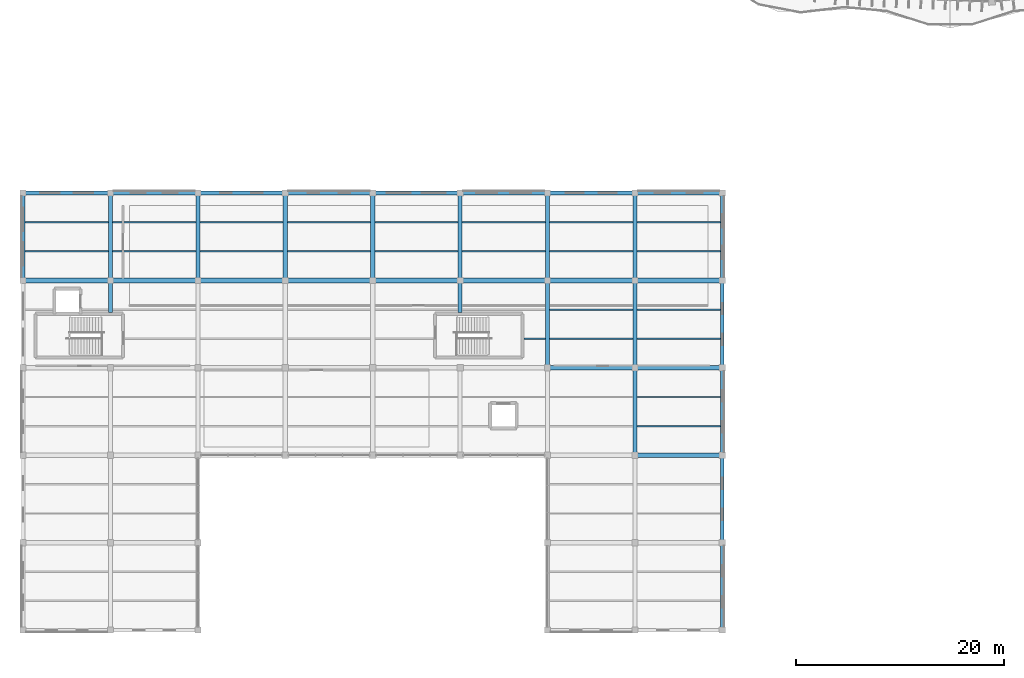
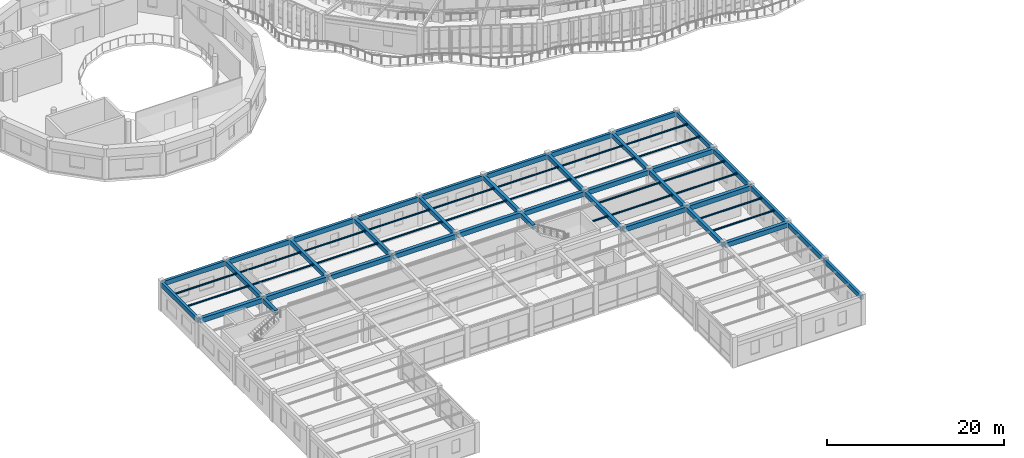
# One storey, part 21 of 114: 60 beams.
"""IFC4 building model written with IfcOpenShell, lengths in metres."""

from ifc_helpers import new_model, si_unit, direction, frame, origin, origin_2d, place, context, subcontext, project, spatial, rectangle, i_section, extrude, material, material_profile, profile_set, type_object, element, save


model = new_model("IFC4")

# Units and contexts
model_context = context("Model", 3, precision=1e-05, world=origin(), true_north=direction((0.0, 1.0)))
body_context = subcontext(model_context, "Body", "Model", "MODEL_VIEW")
ifc_project = project(units=[si_unit("LENGTHUNIT", "METRE"), si_unit("AREAUNIT", "SQUARE_METRE"), si_unit("VOLUMEUNIT", "CUBIC_METRE"), si_unit("PLANEANGLEUNIT", "RADIAN"), si_unit("MASSUNIT", "GRAM", prefix="KILO"), si_unit("THERMODYNAMICTEMPERATUREUNIT", "KELVIN"), si_unit("POWERUNIT", "WATT")], contexts=[model_context])

# Site, building, storey
site_placement = place(None, origin())
site = spatial("IfcSite", under=ifc_project, at=site_placement, CompositionType="ELEMENT")
building_placement = place(site_placement, origin())
building = spatial("IfcBuilding", under=site, at=building_placement, Name="Darbajah Civic Hall", CompositionType="ELEMENT")
storey_placement = place(building_placement, frame((0.0, 0.0, 13.800048828125)))
storey = spatial("IfcBuildingStorey", under=building, at=storey_placement, Name="L03", CompositionType="ELEMENT", Elevation=13.800048828125)

# Beams
ifc_material_1 = material(Name="Concrete C45/55", Category="concrete")
ifc_material_profile_1 = material_profile(ifc_material_1, rectangle(XDim=0.39990234375, YDim=0.60009765625, at=origin_2d()), Name="RC BEAM 400x600")
ifc_profile_set_1 = profile_set([ifc_material_profile_1], Name="Concrete C45/55")
beam_type_1 = type_object("IfcBeamType", Name="RC BEAM 400x600", PredefinedType="BEAM", material=ifc_profile_set_1)
beam_1_placement = place(storey_placement, frame((8.39990234375, 30.5400390625, 3.639892578125), z_axis=(0.0, 1.0, 0.0), x_axis=(-1.0, 0.0, 0.0)))
element("IfcBeam", 1, at=beam_1_placement, inside=storey, type_object=beam_type_1, Name="L03 beam BM-4060", PredefinedType="BEAM", context=body_context, shape_type="SweptSolid", body=[
    extrude(rectangle(XDim=0.39990234375, YDim=0.60009765625, at=origin_2d()), origin(), (0.0, 0.0, 1.0), 2.97998046875),
])
for number, where, z_axis, x_axis, name in (
    (2, (8.39990234375, 33.679931640625, 3.639892578125), (0.0, 1.0, 0.0), (-1.0, 0.0, 0.0), "L03 beam BM-4060"),
    (3, (16.800048828125, 33.679931640625, 3.639892578125), (0.0, 1.0, 0.0), (-1.0, 0.0, 0.0), "L03 beam BM-4060"),
    (4, (25.199951171875, 33.679931640625, 3.639892578125), (0.0, 1.0, 0.0), (-1.0, 0.0, 0.0), "L03 beam BM-4060"),
    (5, (33.60009765625, 33.679931640625, 3.639892578125), (0.0, 1.0, 0.0), (-1.0, 0.0, 0.0), "L03 beam BM-4060"),
):
    element("IfcBeam", number, at=place(storey_placement, frame(where, z_axis=z_axis, x_axis=x_axis)), inside=storey, type_object=beam_type_1, Name=name, PredefinedType="BEAM", context=body_context, shape_type="SweptSolid", body=[
        extrude(rectangle(XDim=0.39990234375, YDim=0.60009765625, at=origin_2d()), origin(), (0.0, 0.0, 1.0), 8.239990234375),
    ])
beam_2_placement = place(storey_placement, frame((42.0, 30.5400390625, 3.639892578125), z_axis=(0.0, 1.0, 0.0), x_axis=(-1.0, 0.0, 0.0)))
element("IfcBeam", 6, at=beam_2_placement, inside=storey, type_object=beam_type_1, Name="L03 beam BM-4060", PredefinedType="BEAM", context=body_context, shape_type="SweptSolid", body=[
    extrude(rectangle(XDim=0.39990234375, YDim=0.60009765625, at=origin_2d()), origin(), (0.0, 0.0, 1.0), 2.97998046875),
])
for number, where, z_axis, x_axis, name in (
    (7, (42.0, 33.679931640625, 3.639892578125), (0.0, 1.0, 0.0), (-1.0, 0.0, 0.0), "L03 beam BM-4060"),
    (8, (50.39990234375, 25.280029296875, 3.639892578125), (0.0, 1.0, 0.0), (-1.0, 0.0, 0.0), "L03 beam BM-4060"),
    (9, (50.39990234375, 33.679931640625, 3.639892578125), (0.0, 1.0, 0.0), (-1.0, 0.0, 0.0), "L03 beam BM-4060"),
):
    element("IfcBeam", number, at=place(storey_placement, frame(where, z_axis=z_axis, x_axis=x_axis)), inside=storey, type_object=beam_type_1, Name=name, PredefinedType="BEAM", context=body_context, shape_type="SweptSolid", body=[
        extrude(rectangle(XDim=0.39990234375, YDim=0.60009765625, at=origin_2d()), origin(), (0.0, 0.0, 1.0), 8.239990234375),
    ])
beam_3_placement = place(storey_placement, frame((58.800048828125, 16.8798828125, 3.639892578125), z_axis=(0.0, 1.0, 0.0), x_axis=(-1.0, 0.0, 0.0)))
element("IfcBeam", 10, at=beam_3_placement, inside=storey, type_object=beam_type_1, Name="L03 beam BM-4060", PredefinedType="BEAM", context=body_context, shape_type="SweptSolid", body=[
    extrude(rectangle(XDim=0.39990234375, YDim=0.60009765625, at=origin_2d()), origin(), (0.0, 0.0, 1.0), 8.240234375),
])
for number, where, z_axis, x_axis, name in (
    (11, (58.800048828125, 25.280029296875, 3.639892578125), (0.0, 1.0, 0.0), (-1.0, 0.0, 0.0), "L03 beam BM-4060"),
    (12, (58.800048828125, 33.679931640625, 3.639892578125), (0.0, 1.0, 0.0), (-1.0, 0.0, 0.0), "L03 beam BM-4060"),
):
    element("IfcBeam", number, at=place(storey_placement, frame(where, z_axis=z_axis, x_axis=x_axis)), inside=storey, type_object=beam_type_1, Name=name, PredefinedType="BEAM", context=body_context, shape_type="SweptSolid", body=[
        extrude(rectangle(XDim=0.39990234375, YDim=0.60009765625, at=origin_2d()), origin(), (0.0, 0.0, 1.0), 8.239990234375),
    ])
ifc_material_profile_2 = material_profile(ifc_material_1, rectangle(XDim=0.449951171875, YDim=0.64990234375, at=origin_2d()), Name="RC BEAM 450x650")
ifc_profile_set_2 = profile_set([ifc_material_profile_2], Name="Concrete C45/55")
beam_type_2 = type_object("IfcBeamType", Name="RC BEAM 450x650", PredefinedType="BEAM", material=ifc_profile_set_2)
beam_4_placement = place(storey_placement, frame((58.8798828125, 16.800048828125, 3.614990234375), z_axis=(1.0, 0.0, 0.0), x_axis=(0.0, 1.0, 0.0)))
element("IfcBeam", 13, at=beam_4_placement, inside=storey, type_object=beam_type_2, Name="L03 beam BM-4565", PredefinedType="BEAM", context=body_context, shape_type="SweptSolid", body=[
    extrude(rectangle(XDim=0.449951171875, YDim=0.64990234375, at=origin_2d()), origin(), (0.0, 0.0, 1.0), 8.240234375),
])
beam_5_placement = place(storey_placement, frame((50.47998046875, 25.199951171875, 3.614990234375), z_axis=(1.0, 0.0, 0.0), x_axis=(0.0, 1.0, 0.0)))
element("IfcBeam", 14, at=beam_5_placement, inside=storey, type_object=beam_type_2, Name="L03 beam BM-4565", PredefinedType="BEAM", context=body_context, shape_type="SweptSolid", body=[
    extrude(rectangle(XDim=0.449951171875, YDim=0.64990234375, at=origin_2d()), origin(), (0.0, 0.0, 1.0), 8.239990234375),
])
beam_6_placement = place(storey_placement, frame((58.8798828125, 25.199951171875, 3.614990234375), z_axis=(1.0, 0.0, 0.0), x_axis=(0.0, 1.0, 0.0)))
element("IfcBeam", 15, at=beam_6_placement, inside=storey, type_object=beam_type_2, Name="L03 beam BM-4565", PredefinedType="BEAM", context=body_context, shape_type="SweptSolid", body=[
    extrude(rectangle(XDim=0.449951171875, YDim=0.64990234375, at=origin_2d()), origin(), (0.0, 0.0, 1.0), 8.240234375),
])
for number, where, z_axis, x_axis, name in (
    (16, (0.080078125, 33.60009765625, 3.614990234375), (1.0, 0.0, 0.0), (0.0, 1.0, 0.0), "L03 beam BM-4565"),
    (17, (8.47998046875, 33.60009765625, 3.614990234375), (1.0, 0.0, 0.0), (0.0, 1.0, 0.0), "L03 beam BM-4565"),
):
    element("IfcBeam", number, at=place(storey_placement, frame(where, z_axis=z_axis, x_axis=x_axis)), inside=storey, type_object=beam_type_2, Name=name, PredefinedType="BEAM", context=body_context, shape_type="SweptSolid", body=[
        extrude(rectangle(XDim=0.449951171875, YDim=0.64990234375, at=origin_2d()), origin(), (0.0, 0.0, 1.0), 8.239990234375),
    ])
beam_7_placement = place(storey_placement, frame((16.8798828125, 33.60009765625, 3.614990234375), z_axis=(1.0, 0.0, 0.0), x_axis=(0.0, 1.0, 0.0)))
element("IfcBeam", 18, at=beam_7_placement, inside=storey, type_object=beam_type_2, Name="L03 beam BM-4565", PredefinedType="BEAM", context=body_context, shape_type="SweptSolid", body=[
    extrude(rectangle(XDim=0.449951171875, YDim=0.64990234375, at=origin_2d()), origin(), (0.0, 0.0, 1.0), 8.240234375),
])
for number, where, z_axis, x_axis, name in (
    (19, (25.280029296875, 33.60009765625, 3.614990234375), (1.0, 0.0, 0.0), (0.0, 1.0, 0.0), "L03 beam BM-4565"),
    (20, (33.679931640625, 33.60009765625, 3.614990234375), (1.0, 0.0, 0.0), (0.0, 1.0, 0.0), "L03 beam BM-4565"),
    (21, (42.080078125, 33.60009765625, 3.614990234375), (1.0, 0.0, 0.0), (0.0, 1.0, 0.0), "L03 beam BM-4565"),
    (22, (50.47998046875, 33.60009765625, 3.614990234375), (1.0, 0.0, 0.0), (0.0, 1.0, 0.0), "L03 beam BM-4565"),
):
    element("IfcBeam", number, at=place(storey_placement, frame(where, z_axis=z_axis, x_axis=x_axis)), inside=storey, type_object=beam_type_2, Name=name, PredefinedType="BEAM", context=body_context, shape_type="SweptSolid", body=[
        extrude(rectangle(XDim=0.449951171875, YDim=0.64990234375, at=origin_2d()), origin(), (0.0, 0.0, 1.0), 8.239990234375),
    ])
beam_8_placement = place(storey_placement, frame((58.8798828125, 33.60009765625, 3.614990234375), z_axis=(1.0, 0.0, 0.0), x_axis=(0.0, 1.0, 0.0)))
element("IfcBeam", 23, at=beam_8_placement, inside=storey, type_object=beam_type_2, Name="L03 beam BM-4565", PredefinedType="BEAM", context=body_context, shape_type="SweptSolid", body=[
    extrude(rectangle(XDim=0.449951171875, YDim=0.64990234375, at=origin_2d()), origin(), (0.0, 0.0, 1.0), 8.240234375),
])
ifc_material_profile_3 = material_profile(ifc_material_1, rectangle(XDim=0.35009765625, YDim=0.64990234375, at=origin_2d()), Name="RC SPANDREL 350x650")
ifc_profile_set_3 = profile_set([ifc_material_profile_3], Name="Concrete C45/55")
beam_type_3 = type_object("IfcBeamType", Name="RC SPANDREL 350x650", PredefinedType="SPANDREL", material=ifc_profile_set_3)
for number, where, z_axis, x_axis, name in (
    (24, (0.080078125, 42.0, 3.614990234375), (1.0, 0.0, 0.0), (0.0, 1.0, 0.0), "L03 beam SP-3565"),
    (25, (8.47998046875, 42.0, 3.614990234375), (1.0, 0.0, 0.0), (0.0, 1.0, 0.0), "L03 beam SP-3565"),
):
    element("IfcBeam", number, at=place(storey_placement, frame(where, z_axis=z_axis, x_axis=x_axis)), inside=storey, type_object=beam_type_3, Name=name, PredefinedType="SPANDREL", context=body_context, shape_type="SweptSolid", body=[
        extrude(rectangle(XDim=0.35009765625, YDim=0.64990234375, at=origin_2d()), origin(), (0.0, 0.0, 1.0), 8.239990234375),
    ])
beam_9_placement = place(storey_placement, frame((16.8798828125, 42.0, 3.614990234375), z_axis=(1.0, 0.0, 0.0), x_axis=(0.0, 1.0, 0.0)))
element("IfcBeam", 26, at=beam_9_placement, inside=storey, type_object=beam_type_3, Name="L03 beam SP-3565", PredefinedType="SPANDREL", context=body_context, shape_type="SweptSolid", body=[
    extrude(rectangle(XDim=0.35009765625, YDim=0.64990234375, at=origin_2d()), origin(), (0.0, 0.0, 1.0), 8.240234375),
])
for number, where, z_axis, x_axis, name in (
    (27, (25.280029296875, 42.0, 3.614990234375), (1.0, 0.0, 0.0), (0.0, 1.0, 0.0), "L03 beam SP-3565"),
    (28, (33.679931640625, 42.0, 3.614990234375), (1.0, 0.0, 0.0), (0.0, 1.0, 0.0), "L03 beam SP-3565"),
    (29, (42.080078125, 42.0, 3.614990234375), (1.0, 0.0, 0.0), (0.0, 1.0, 0.0), "L03 beam SP-3565"),
    (30, (50.47998046875, 42.0, 3.614990234375), (1.0, 0.0, 0.0), (0.0, 1.0, 0.0), "L03 beam SP-3565"),
):
    element("IfcBeam", number, at=place(storey_placement, frame(where, z_axis=z_axis, x_axis=x_axis)), inside=storey, type_object=beam_type_3, Name=name, PredefinedType="SPANDREL", context=body_context, shape_type="SweptSolid", body=[
        extrude(rectangle(XDim=0.35009765625, YDim=0.64990234375, at=origin_2d()), origin(), (0.0, 0.0, 1.0), 8.239990234375),
    ])
beam_10_placement = place(storey_placement, frame((58.8798828125, 42.0, 3.614990234375), z_axis=(1.0, 0.0, 0.0), x_axis=(0.0, 1.0, 0.0)))
element("IfcBeam", 31, at=beam_10_placement, inside=storey, type_object=beam_type_3, Name="L03 beam SP-3565", PredefinedType="SPANDREL", context=body_context, shape_type="SweptSolid", body=[
    extrude(rectangle(XDim=0.35009765625, YDim=0.64990234375, at=origin_2d()), origin(), (0.0, 0.0, 1.0), 8.240234375),
])
for number, where, z_axis, x_axis, name in (
    (32, (0.0, 33.679931640625, 3.614990234375), (0.0, 1.0, 0.0), (-1.0, 0.0, 0.0), "L03 beam SP-3565"),
    (33, (67.199951171875, 0.080078125, 3.614990234375), (0.0, 1.0, 0.0), (-1.0, 0.0, 0.0), "L03 beam SP-3565"),
    (34, (67.199951171875, 8.47998046875, 3.614990234375), (0.0, 1.0, 0.0), (-1.0, 0.0, 0.0), "L03 beam SP-3565"),
):
    element("IfcBeam", number, at=place(storey_placement, frame(where, z_axis=z_axis, x_axis=x_axis)), inside=storey, type_object=beam_type_3, Name=name, PredefinedType="SPANDREL", context=body_context, shape_type="SweptSolid", body=[
        extrude(rectangle(XDim=0.35009765625, YDim=0.64990234375, at=origin_2d()), origin(), (0.0, 0.0, 1.0), 8.239990234375),
    ])
beam_11_placement = place(storey_placement, frame((67.199951171875, 16.8798828125, 3.614990234375), z_axis=(0.0, 1.0, 0.0), x_axis=(-1.0, 0.0, 0.0)))
element("IfcBeam", 35, at=beam_11_placement, inside=storey, type_object=beam_type_3, Name="L03 beam SP-3565", PredefinedType="SPANDREL", context=body_context, shape_type="SweptSolid", body=[
    extrude(rectangle(XDim=0.35009765625, YDim=0.64990234375, at=origin_2d()), origin(), (0.0, 0.0, 1.0), 8.240234375),
])
for number, where, z_axis, x_axis, name in (
    (36, (67.199951171875, 25.280029296875, 3.614990234375), (0.0, 1.0, 0.0), (-1.0, 0.0, 0.0), "L03 beam SP-3565"),
    (37, (67.199951171875, 33.679931640625, 3.614990234375), (0.0, 1.0, 0.0), (-1.0, 0.0, 0.0), "L03 beam SP-3565"),
):
    element("IfcBeam", number, at=place(storey_placement, frame(where, z_axis=z_axis, x_axis=x_axis)), inside=storey, type_object=beam_type_3, Name=name, PredefinedType="SPANDREL", context=body_context, shape_type="SweptSolid", body=[
        extrude(rectangle(XDim=0.35009765625, YDim=0.64990234375, at=origin_2d()), origin(), (0.0, 0.0, 1.0), 8.239990234375),
    ])
ifc_material_2 = material(Name="Steel S355JR", Category="steel")
ifc_material_profile_4 = material_profile(ifc_material_2, i_section(OverallWidth=0.1337890625, OverallDepth=0.206787109375, WebThickness=0.00634765625, FlangeThickness=0.009521484375, FilletRadius=0.007568359375, at=origin_2d()), Name="UB 203x133x30")
ifc_profile_set_4 = profile_set([ifc_material_profile_4], Name="Steel S355JR")
beam_type_4 = type_object("IfcBeamType", Name="UB 203x133x30", PredefinedType="JOIST", material=ifc_profile_set_4)
for number, where, z_axis, x_axis, name in (
    (38, (0.175048828125, 36.39990234375, 3.836669921875), (1.0, 0.0, 0.0), (0.0, 1.0, 0.0), "L03 beam SJ-203"),
    (39, (0.175048828125, 39.199951171875, 3.836669921875), (1.0, 0.0, 0.0), (0.0, 1.0, 0.0), "L03 beam SJ-203"),
):
    element("IfcBeam", number, at=place(storey_placement, frame(where, z_axis=z_axis, x_axis=x_axis)), inside=storey, type_object=beam_type_4, Name=name, PredefinedType="JOIST", context=body_context, shape_type="SweptSolid", body=[
        extrude(i_section(OverallWidth=0.1337890625, OverallDepth=0.206787109375, WebThickness=0.00634765625, FlangeThickness=0.009521484375, FilletRadius=0.007568359375, at=origin_2d()), origin(), (0.0, 0.0, 1.0), 8.02490234375),
    ])
for number, where, z_axis, x_axis, name in (
    (40, (8.60009765625, 36.39990234375, 3.836669921875), (1.0, 0.0, 0.0), (0.0, 1.0, 0.0), "L03 beam SJ-203"),
    (41, (8.60009765625, 39.199951171875, 3.836669921875), (1.0, 0.0, 0.0), (0.0, 1.0, 0.0), "L03 beam SJ-203"),
    (42, (17.0, 36.39990234375, 3.836669921875), (1.0, 0.0, 0.0), (0.0, 1.0, 0.0), "L03 beam SJ-203"),
    (43, (17.0, 39.199951171875, 3.836669921875), (1.0, 0.0, 0.0), (0.0, 1.0, 0.0), "L03 beam SJ-203"),
    (44, (25.39990234375, 36.39990234375, 3.836669921875), (1.0, 0.0, 0.0), (0.0, 1.0, 0.0), "L03 beam SJ-203"),
    (45, (25.39990234375, 39.199951171875, 3.836669921875), (1.0, 0.0, 0.0), (0.0, 1.0, 0.0), "L03 beam SJ-203"),
    (46, (33.800048828125, 36.39990234375, 3.836669921875), (1.0, 0.0, 0.0), (0.0, 1.0, 0.0), "L03 beam SJ-203"),
    (47, (33.800048828125, 39.199951171875, 3.836669921875), (1.0, 0.0, 0.0), (0.0, 1.0, 0.0), "L03 beam SJ-203"),
):
    element("IfcBeam", number, at=place(storey_placement, frame(where, z_axis=z_axis, x_axis=x_axis)), inside=storey, type_object=beam_type_4, Name=name, PredefinedType="JOIST", context=body_context, shape_type="SweptSolid", body=[
        extrude(i_section(OverallWidth=0.1337890625, OverallDepth=0.206787109375, WebThickness=0.00634765625, FlangeThickness=0.009521484375, FilletRadius=0.007568359375, at=origin_2d()), origin(), (0.0, 0.0, 1.0), 8.0),
    ])
beam_12_placement = place(storey_placement, frame((48.139892578125, 28.0, 3.836669921875), z_axis=(1.0, 0.0, 0.0), x_axis=(0.0, 1.0, 0.0)))
element("IfcBeam", 48, at=beam_12_placement, inside=storey, type_object=beam_type_4, Name="L03 beam SJ-203", PredefinedType="JOIST", context=body_context, shape_type="SweptSolid", body=[
    extrude(i_section(OverallWidth=0.1337890625, OverallDepth=0.206787109375, WebThickness=0.00634765625, FlangeThickness=0.009521484375, FilletRadius=0.007568359375, at=origin_2d()), origin(), (0.0, 0.0, 1.0), 2.06005859375),
])
for number, where, z_axis, x_axis, name in (
    (49, (42.199951171875, 36.39990234375, 3.836669921875), (1.0, 0.0, 0.0), (0.0, 1.0, 0.0), "L03 beam SJ-203"),
    (50, (42.199951171875, 39.199951171875, 3.836669921875), (1.0, 0.0, 0.0), (0.0, 1.0, 0.0), "L03 beam SJ-203"),
    (51, (50.60009765625, 28.0, 3.836669921875), (1.0, 0.0, 0.0), (0.0, 1.0, 0.0), "L03 beam SJ-203"),
    (52, (50.60009765625, 30.800048828125, 3.836669921875), (1.0, 0.0, 0.0), (0.0, 1.0, 0.0), "L03 beam SJ-203"),
    (53, (50.60009765625, 36.39990234375, 3.836669921875), (1.0, 0.0, 0.0), (0.0, 1.0, 0.0), "L03 beam SJ-203"),
    (54, (50.60009765625, 39.199951171875, 3.836669921875), (1.0, 0.0, 0.0), (0.0, 1.0, 0.0), "L03 beam SJ-203"),
):
    element("IfcBeam", number, at=place(storey_placement, frame(where, z_axis=z_axis, x_axis=x_axis)), inside=storey, type_object=beam_type_4, Name=name, PredefinedType="JOIST", context=body_context, shape_type="SweptSolid", body=[
        extrude(i_section(OverallWidth=0.1337890625, OverallDepth=0.206787109375, WebThickness=0.00634765625, FlangeThickness=0.009521484375, FilletRadius=0.007568359375, at=origin_2d()), origin(), (0.0, 0.0, 1.0), 8.0),
    ])
for number, where, z_axis, x_axis, name in (
    (55, (59.0, 19.60009765625, 3.836669921875), (1.0, 0.0, 0.0), (0.0, 1.0, 0.0), "L03 beam SJ-203"),
    (56, (59.0, 22.39990234375, 3.836669921875), (1.0, 0.0, 0.0), (0.0, 1.0, 0.0), "L03 beam SJ-203"),
    (57, (59.0, 28.0, 3.836669921875), (1.0, 0.0, 0.0), (0.0, 1.0, 0.0), "L03 beam SJ-203"),
    (58, (59.0, 30.800048828125, 3.836669921875), (1.0, 0.0, 0.0), (0.0, 1.0, 0.0), "L03 beam SJ-203"),
    (59, (59.0, 36.39990234375, 3.836669921875), (1.0, 0.0, 0.0), (0.0, 1.0, 0.0), "L03 beam SJ-203"),
    (60, (59.0, 39.199951171875, 3.836669921875), (1.0, 0.0, 0.0), (0.0, 1.0, 0.0), "L03 beam SJ-203"),
):
    element("IfcBeam", number, at=place(storey_placement, frame(where, z_axis=z_axis, x_axis=x_axis)), inside=storey, type_object=beam_type_4, Name=name, PredefinedType="JOIST", context=body_context, shape_type="SweptSolid", body=[
        extrude(i_section(OverallWidth=0.1337890625, OverallDepth=0.206787109375, WebThickness=0.00634765625, FlangeThickness=0.009521484375, FilletRadius=0.007568359375, at=origin_2d()), origin(), (0.0, 0.0, 1.0), 8.02490234375),
    ])

save(model, "model.ifc")
